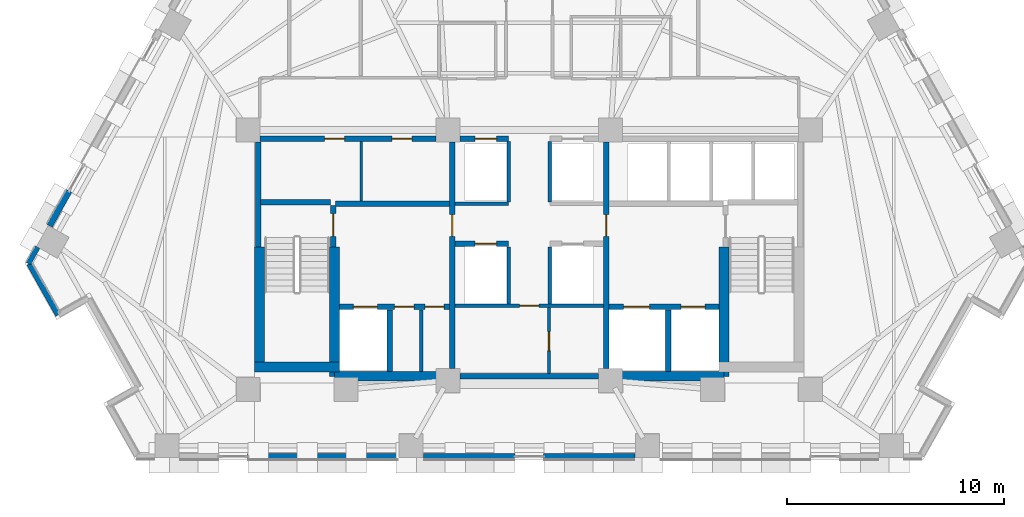
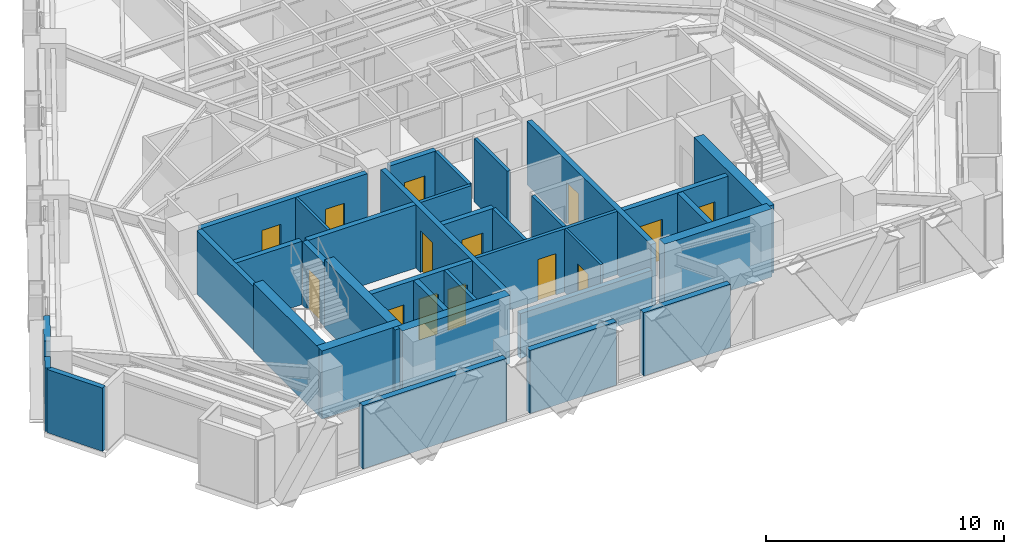
# One storey, part 7 of 13: 35 walls, 14 doors, 14 openings.
"""IFC4 building model written with IfcOpenShell, lengths in metres."""

from ifc_helpers import new_model, si_unit, direction, frame, frame_2d, origin, place, context, subcontext, project, spatial, rectangle, extrude, material, layer, layer_set, type_object, element, fill, save


model = new_model("IFC4")

# Units and contexts
model_context = context("Model", 3, precision=1e-05, world=origin(), true_north=direction((0.0, 1.0)))
body_context = subcontext(model_context, "Body", "Model", "MODEL_VIEW")
ifc_project = project(units=[si_unit("LENGTHUNIT", "METRE"), si_unit("AREAUNIT", "SQUARE_METRE"), si_unit("VOLUMEUNIT", "CUBIC_METRE"), si_unit("PLANEANGLEUNIT", "RADIAN"), si_unit("MASSUNIT", "GRAM", prefix="KILO")], contexts=[model_context])

# Site, building, storey
site_placement = place(None, origin())
site = spatial("IfcSite", under=ifc_project, at=site_placement, CompositionType="ELEMENT")
building_placement = place(site_placement, origin())
building = spatial("IfcBuilding", under=site, at=building_placement, Name="Quenlor Broadcast Tower", CompositionType="ELEMENT")
storey_placement = place(building_placement, frame((0.0, 0.0, 109.0)))
storey = spatial("IfcBuildingStorey", under=building, at=storey_placement, Name="L29", CompositionType="ELEMENT", Elevation=109.0)

# Walls
ifc_material_1 = material(Name="Concrete C50/60", Category="concrete")
ifc_layer_1 = layer(ifc_material_1, 0.449951171875)
ifc_layer_set_1 = layer_set([ifc_layer_1], Name="Core Concrete C50/60 Shear Wall 450")
wall_type_1 = type_object("IfcWallType", Name="Core Concrete C50/60 Shear Wall 450", PredefinedType="SHEAR", material=ifc_layer_set_1)
wall_1_placement = place(storey_placement, frame((-12.64990234375, -15.72509765625, 0.0), z_axis=(0.0, 0.0, 1.0), x_axis=(1.0, 0.0, 0.0)))
element("IfcWall", 1, at=wall_1_placement, inside=storey, type_object=wall_type_1, Name="L29 Core Shear Wall WS-W1", PredefinedType="SHEAR", context=body_context, shape_type="SweptSolid", body=[
    extrude(rectangle(XDim=3.89990234375, YDim=0.449951171875, at=frame_2d((1.949951171875, 0.0))), origin(), (0.0, 0.0, 1.0), 3.5),
])
for number, where, z_axis, x_axis, name in (
    (2, (-8.97509765625, -16.14990234375, 0.0), (0.0, 0.0, 1.0), (1.0, 0.0, 0.0), "L29 Core Shear Wall WS-W2"),
    (3, (3.75, -16.14990234375, 0.0), (0.0, 0.0, 1.0), (1.0, 0.0, 0.0), "L29 Core Shear Wall WS-E1"),
):
    element("IfcWall", number, at=place(storey_placement, frame(where, z_axis=z_axis, x_axis=x_axis)), inside=storey, type_object=wall_type_1, Name=name, PredefinedType="SHEAR", context=body_context, shape_type="SweptSolid", body=[
        extrude(rectangle(XDim=5.22509765625, YDim=0.449951171875, at=frame_2d((2.612548828125, 0.0))), origin(), (0.0, 0.0, 1.0), 3.5),
    ])
wall_2_placement = place(storey_placement, frame((-12.425048828125, -15.72509765625, 0.0), z_axis=(0.0, 0.0, 1.0), x_axis=(0.0, 1.0, 0.0)))
element("IfcWall", 4, at=wall_2_placement, inside=storey, type_object=wall_type_1, Name="L29 Core Shear Wall WF-W", PredefinedType="SHEAR", context=body_context, shape_type="SweptSolid", body=[
    extrude(rectangle(XDim=5.525146484375, YDim=0.449951171875, at=frame_2d((2.7626953125, 0.0))), origin(), (0.0, 0.0, 1.0), 3.5),
])
for number, where, z_axis, x_axis, name in (
    (5, (-8.97509765625, -16.14990234375, 0.0), (0.0, 0.0, 1.0), (0.0, 1.0, 0.0), "L29 Core Shear Wall WI-W"),
    (6, (8.97509765625, -16.14990234375, 0.0), (0.0, 0.0, 1.0), (0.0, 1.0, 0.0), "L29 Core Shear Wall WI-E"),
):
    element("IfcWall", number, at=place(storey_placement, frame(where, z_axis=z_axis, x_axis=x_axis)), inside=storey, type_object=wall_type_1, Name=name, PredefinedType="SHEAR", context=body_context, shape_type="SweptSolid", body=[
        extrude(rectangle(XDim=5.949951171875, YDim=0.449951171875, at=frame_2d((2.97509765625, 0.0))), origin(), (0.0, 0.0, 1.0), 3.5),
    ])

# Wall, opening, door
ifc_material_2 = material(Name="Concrete C40/50", Category="concrete")
ifc_layer_2 = layer(ifc_material_2, 0.25)
ifc_layer_set_2 = layer_set([ifc_layer_2], Name="Fire Rated Concrete C40/50 Core Wall 250")
wall_type_2 = type_object("IfcWallType", Name="Fire Rated Concrete C40/50 Core Wall 250", PredefinedType="PARTITIONING", material=ifc_layer_set_2)
wall_3_placement = place(storey_placement, frame((-9.0400390625, -10.179931640625, 0.0), z_axis=(0.0, 0.0, 1.0), x_axis=(0.0, 1.0, 0.0)))
wall_3 = element("IfcWall", 7, at=wall_3_placement, inside=storey, type_object=wall_type_2, Name="L29 Interior Wall CW-ST1-DR", PredefinedType="PARTITIONING", context=body_context, shape_type="SweptSolid", body=[
    extrude(rectangle(XDim=1.89990234375, YDim=0.25, at=frame_2d((0.949951171875, 0.0))), origin(), (0.0, 0.0, 1.0), 3.25),
])
opening_1_placement = place(wall_3_placement, frame((0.47998046875, 0.0, 0.0)))
opening_1 = element("IfcOpeningElement", 8, at=opening_1_placement, cuts=wall_3, Name="Opening FD-1", PredefinedType="OPENING", context=body_context, shape_type="SweptSolid", body=[
    extrude(rectangle(XDim=1.050048828125, YDim=2.14990234375, at=frame_2d((0.52490234375, 1.074951171875))), frame((0.0, 0.135009765625, 0.0), z_axis=(0.0, -1.0, 0.0), x_axis=(1.0, 0.0, 0.0)), (0.0, 0.0, 1.0), 0.27001953125),
])
ifc_material_3 = material(Name="Fire Rated Steel Door Leaf", Category="steel")
door_type_1 = type_object("IfcDoorType", Name="Fire Isolated Stair Door 1050x2150", OperationType="NOTDEFINED", PredefinedType="DOOR", material=ifc_material_3)
door_1_placement = place(opening_1_placement, origin())
door_1 = element("IfcDoor", 9, at=door_1_placement, inside=storey, type_object=door_type_1, Name="L29 Door DR-ST1", OperationType="SINGLE_SWING_LEFT", OverallHeight=2.14990234375, OverallWidth=1.050048828125, PredefinedType="DOOR", context=body_context, shape_type="SweptSolid", body=[
    extrude(rectangle(XDim=1.050048828125, YDim=2.14990234375, at=frame_2d((0.52490234375, 1.074951171875))), frame((0.0, 0.02490234375, 0.0), z_axis=(0.0, -1.0, 0.0), x_axis=(1.0, 0.0, 0.0)), (0.0, 0.0, 1.0), 0.050048828125),
])
fill(opening_1, door_1)

# Walls
wall_4_placement = place(storey_placement, frame((-12.3798828125, -8.1201171875, 0.0), z_axis=(0.0, 0.0, 1.0), x_axis=(1.0, 0.0, 0.0)))
element("IfcWall", 10, at=wall_4_placement, inside=storey, type_object=wall_type_2, Name="L29 Interior Wall CW-ST1-N", PredefinedType="PARTITIONING", context=body_context, shape_type="SweptSolid", body=[
    extrude(rectangle(XDim=3.219970703125, YDim=0.25, at=frame_2d((1.60986328125, 0.0))), origin(), (0.0, 0.0, 1.0), 3.25),
])
wall_5_placement = place(storey_placement, frame((-12.47998046875, -10.179931640625, 0.0), z_axis=(0.0, 0.0, 1.0), x_axis=(0.0, 1.0, 0.0)))
element("IfcWall", 11, at=wall_5_placement, inside=storey, type_object=wall_type_2, Name="L29 Interior Wall CW-ST1-W2", PredefinedType="PARTITIONING", context=body_context, shape_type="SweptSolid", body=[
    extrude(rectangle(XDim=4.827880859375, YDim=0.25, at=frame_2d((2.4140625, 0.0))), origin(), (0.0, 0.0, 1.0), 3.25),
])

# Wall, openings, doors
wall_6_placement = place(storey_placement, frame((-8.748046875, -12.949951171875, 0.0), z_axis=(0.0, 0.0, 1.0), x_axis=(1.0, 0.0, 0.0)))
wall_6 = element("IfcWall", 12, at=wall_6_placement, inside=storey, type_object=wall_type_2, Name="L29 Interior Wall CW-FFW-S", PredefinedType="PARTITIONING", context=body_context, shape_type="SweptSolid", body=[
    extrude(rectangle(XDim=5.068115234375, YDim=0.25, at=frame_2d((2.5341796875, 0.0))), origin(), (0.0, 0.0, 1.0), 3.25),
])
opening_2_placement = place(wall_6_placement, frame((0.64794921875, 0.0, 0.0)))
opening_2 = element("IfcOpeningElement", 13, at=opening_2_placement, cuts=wall_6, Name="Opening LD-FFL-1", PredefinedType="OPENING", context=body_context, shape_type="SweptSolid", body=[
    extrude(rectangle(XDim=1.10009765625, YDim=2.14990234375, at=frame_2d((0.550048828125, 1.074951171875))), frame((0.0, 0.135009765625, 0.0), z_axis=(0.0, -1.0, 0.0), x_axis=(1.0, 0.0, 0.0)), (0.0, 0.0, 1.0), 0.27001953125),
])
opening_3_placement = place(wall_6_placement, frame((2.548095703125, 0.0, 0.0)))
opening_3 = element("IfcOpeningElement", 14, at=opening_3_placement, cuts=wall_6, Name="Opening TD-1", PredefinedType="OPENING", context=body_context, shape_type="SweptSolid", body=[
    extrude(rectangle(XDim=0.8798828125, YDim=2.10009765625, at=frame_2d((0.43994140625, 1.050048828125))), frame((0.0, 0.135009765625, 0.0), z_axis=(0.0, -1.0, 0.0), x_axis=(1.0, 0.0, 0.0)), (0.0, 0.0, 1.0), 0.27001953125),
])
opening_4_placement = place(wall_6_placement, frame((3.947998046875, 0.0, 0.0)))
opening_4 = element("IfcOpeningElement", 15, at=opening_4_placement, cuts=wall_6, Name="Opening TD-1", PredefinedType="OPENING", context=body_context, shape_type="SweptSolid", body=[
    extrude(rectangle(XDim=0.8798828125, YDim=2.10009765625, at=frame_2d((0.43994140625, 1.050048828125))), frame((0.0, 0.135009765625, 0.0), z_axis=(0.0, -1.0, 0.0), x_axis=(1.0, 0.0, 0.0)), (0.0, 0.0, 1.0), 0.27001953125),
])
ifc_material_4 = material(Name="Brushed Stainless Steel", Category="steel")
door_type_2 = type_object("IfcDoorType", Name="Emergency Lift Sliding Landing Door 1100x2150", OperationType="NOTDEFINED", PredefinedType="DOOR", material=ifc_material_4)
door_2_placement = place(opening_2_placement, origin())
door_2 = element("IfcDoor", 16, at=door_2_placement, inside=storey, type_object=door_type_2, Name="L29 Door LD-FFL-1", OperationType="SLIDING_TO_LEFT", OverallHeight=2.14990234375, OverallWidth=1.10009765625, PredefinedType="DOOR", context=body_context, shape_type="SweptSolid", body=[
    extrude(rectangle(XDim=1.10009765625, YDim=2.14990234375, at=frame_2d((0.550048828125, 1.074951171875))), frame((0.0, 0.02490234375, 0.0), z_axis=(0.0, -1.0, 0.0), x_axis=(1.0, 0.0, 0.0)), (0.0, 0.0, 1.0), 0.050048828125),
])
fill(opening_2, door_2)
ifc_material_5 = material(Name="Fire Rated Steel Access Panel", Category="steel")
door_type_3 = type_object("IfcDoorType", Name="Riser Shaft Rated Access Trapdoor 880x2100", OperationType="NOTDEFINED", PredefinedType="TRAPDOOR", material=ifc_material_5)
door_3_placement = place(opening_3_placement, origin())
door_3 = element("IfcDoor", 17, at=door_3_placement, inside=storey, type_object=door_type_3, Name="L29 Door DR-ELR", OperationType="SINGLE_SWING_LEFT", OverallHeight=2.10009765625, OverallWidth=0.8798828125, PredefinedType="TRAPDOOR", context=body_context, shape_type="SweptSolid", body=[
    extrude(rectangle(XDim=0.8798828125, YDim=2.10009765625, at=frame_2d((0.43994140625, 1.050048828125))), frame((0.0, 0.02490234375, 0.0), z_axis=(0.0, -1.0, 0.0), x_axis=(1.0, 0.0, 0.0)), (0.0, 0.0, 1.0), 0.050048828125),
])
fill(opening_3, door_3)
door_4_placement = place(opening_4_placement, origin())
door_4 = element("IfcDoor", 18, at=door_4_placement, inside=storey, type_object=door_type_3, Name="L29 Door DR-CMR", OperationType="SINGLE_SWING_RIGHT", OverallHeight=2.10009765625, OverallWidth=0.8798828125, PredefinedType="TRAPDOOR", context=body_context, shape_type="SweptSolid", body=[
    extrude(rectangle(XDim=0.8798828125, YDim=2.10009765625, at=frame_2d((0.43994140625, 1.050048828125))), frame((0.0, 0.02490234375, 0.0), z_axis=(0.0, -1.0, 0.0), x_axis=(1.0, 0.0, 0.0)), (0.0, 0.0, 1.0), 0.050048828125),
])
fill(opening_4, door_4)

wall_7_placement = place(storey_placement, frame((3.679931640625, -12.949951171875, 0.0), z_axis=(0.0, 0.0, 1.0), x_axis=(1.0, 0.0, 0.0)))
wall_7 = element("IfcWall", 19, at=wall_7_placement, inside=storey, type_object=wall_type_2, Name="L29 Interior Wall CW-FFE-S", PredefinedType="PARTITIONING", context=body_context, shape_type="SweptSolid", body=[
    extrude(rectangle(XDim=5.068115234375, YDim=0.25, at=frame_2d((2.5341796875, 0.0))), origin(), (0.0, 0.0, 1.0), 3.25),
])
opening_5_placement = place(wall_7_placement, frame((3.320068359375, 0.0, 0.0)))
opening_5 = element("IfcOpeningElement", 20, at=opening_5_placement, cuts=wall_7, Name="Opening LD-FFL-2", PredefinedType="OPENING", context=body_context, shape_type="SweptSolid", body=[
    extrude(rectangle(XDim=1.10009765625, YDim=2.14990234375, at=frame_2d((0.550048828125, 1.074951171875))), frame((0.0, 0.135009765625, 0.0), z_axis=(0.0, -1.0, 0.0), x_axis=(1.0, 0.0, 0.0)), (0.0, 0.0, 1.0), 0.27001953125),
])
opening_6_placement = place(wall_7_placement, frame((0.669921875, 0.0, 0.0)))
opening_6 = element("IfcOpeningElement", 21, at=opening_6_placement, cuts=wall_7, Name="Opening LD-SVL-1", PredefinedType="OPENING", context=body_context, shape_type="SweptSolid", body=[
    extrude(rectangle(XDim=1.199951171875, YDim=2.14990234375, at=frame_2d((0.60009765625, 1.074951171875))), frame((0.0, 0.135009765625, 0.0), z_axis=(0.0, -1.0, 0.0), x_axis=(1.0, 0.0, 0.0)), (0.0, 0.0, 1.0), 0.27001953125),
])
door_5_placement = place(opening_5_placement, origin())
door_5 = element("IfcDoor", 22, at=door_5_placement, inside=storey, type_object=door_type_2, Name="L29 Door LD-FFL-2", OperationType="SLIDING_TO_RIGHT", OverallHeight=2.14990234375, OverallWidth=1.10009765625, PredefinedType="DOOR", context=body_context, shape_type="SweptSolid", body=[
    extrude(rectangle(XDim=1.10009765625, YDim=2.14990234375, at=frame_2d((0.550048828125, 1.074951171875))), frame((0.0, 0.02490234375, 0.0), z_axis=(0.0, -1.0, 0.0), x_axis=(1.0, 0.0, 0.0)), (0.0, 0.0, 1.0), 0.050048828125),
])
fill(opening_5, door_5)
ifc_material_6 = material(Name="Brushed Stainless Steel", Category="steel")
door_type_4 = type_object("IfcDoorType", Name="Goods Lift Sliding Landing Door 1200x2150", OperationType="NOTDEFINED", PredefinedType="DOOR", material=ifc_material_6)
door_6_placement = place(opening_6_placement, origin())
door_6 = element("IfcDoor", 23, at=door_6_placement, inside=storey, type_object=door_type_4, Name="L29 Door LD-SVL-1", OperationType="SLIDING_TO_LEFT", OverallHeight=2.14990234375, OverallWidth=1.199951171875, PredefinedType="DOOR", context=body_context, shape_type="SweptSolid", body=[
    extrude(rectangle(XDim=1.199951171875, YDim=2.14990234375, at=frame_2d((0.60009765625, 1.074951171875))), frame((0.0, 0.02490234375, 0.0), z_axis=(0.0, -1.0, 0.0), x_axis=(1.0, 0.0, 0.0)), (0.0, 0.0, 1.0), 0.050048828125),
])
fill(opening_6, door_6)

# Walls
for number, where, z_axis, x_axis, name in (
    (24, (-6.419921875, -15.919921875, 0.0), (0.0, 0.0, 1.0), (0.0, 1.0, 0.0), "L29 Interior Wall CW-FF1-E"),
    (25, (6.39990234375, -15.919921875, 0.0), (0.0, 0.0, 1.0), (0.0, 1.0, 0.0), "L29 Interior Wall CW-SV1-E"),
):
    element("IfcWall", number, at=place(storey_placement, frame(where, z_axis=z_axis, x_axis=x_axis)), inside=storey, type_object=wall_type_2, Name=name, PredefinedType="PARTITIONING", context=body_context, shape_type="SweptSolid", body=[
        extrude(rectangle(XDim=2.829833984375, YDim=0.25, at=frame_2d((1.4150390625, 0.0))), origin(), (0.0, 0.0, 1.0), 3.25),
    ])
wall_8_placement = place(storey_placement, frame((-8.919921875, -8.199951171875, 0.0), z_axis=(0.0, 0.0, 1.0), x_axis=(1.0, 0.0, 0.0)))
element("IfcWall", 26, at=wall_8_placement, inside=storey, type_object=wall_type_2, Name="L29 Interior Wall CW-FFW-N", PredefinedType="PARTITIONING", context=body_context, shape_type="SweptSolid", body=[
    extrude(rectangle(XDim=5.239990234375, YDim=0.25, at=frame_2d((2.6201171875, 0.0))), origin(), (0.0, 0.0, 1.0), 3.25),
])

# Wall, opening, door
wall_9_placement = place(storey_placement, frame((-3.550048828125, -15.798095703125, 0.0), z_axis=(0.0, 0.0, 1.0), x_axis=(0.0, 1.0, 0.0)))
wall_9 = element("IfcWall", 27, at=wall_9_placement, inside=storey, type_object=wall_type_2, Name="L29 Interior Wall CW-FFW-E", PredefinedType="PARTITIONING", context=body_context, shape_type="SweptSolid", body=[
    extrude(rectangle(XDim=10.446044921875, YDim=0.25, at=frame_2d((5.22314453125, 0.0))), origin(), (0.0, 0.0, 1.0), 3.25),
])
opening_7_placement = place(wall_9_placement, frame((6.097900390625, 0.0, 0.0)))
opening_7 = element("IfcOpeningElement", 28, at=opening_7_placement, cuts=wall_9, Name="Opening FD-2", PredefinedType="OPENING", context=body_context, shape_type="SweptSolid", body=[
    extrude(rectangle(XDim=1.0, YDim=2.14990234375, at=frame_2d((0.5, 1.074951171875))), frame((0.0, 0.135009765625, 0.0), z_axis=(0.0, -1.0, 0.0), x_axis=(1.0, 0.0, 0.0)), (0.0, 0.0, 1.0), 0.27001953125),
])
ifc_material_7 = material(Name="Fire Rated Glazed Steel Door", Category="steel")
door_type_5 = type_object("IfcDoorType", Name="Firefighting Lobby Smoke Door 1000x2150", OperationType="NOTDEFINED", PredefinedType="DOOR", material=ifc_material_7)
door_7_placement = place(opening_7_placement, origin())
door_7 = element("IfcDoor", 29, at=door_7_placement, inside=storey, type_object=door_type_5, Name="L29 Door DR-FFLW", OperationType="SINGLE_SWING_RIGHT", OverallHeight=2.14990234375, OverallWidth=1.0, PredefinedType="DOOR", context=body_context, shape_type="SweptSolid", body=[
    extrude(rectangle(XDim=1.0, YDim=2.14990234375, at=frame_2d((0.5, 1.074951171875))), frame((0.0, 0.02490234375, 0.0), z_axis=(0.0, -1.0, 0.0), x_axis=(1.0, 0.0, 0.0)), (0.0, 0.0, 1.0), 0.050048828125),
])
fill(opening_7, door_7)

wall_10_placement = place(storey_placement, frame((3.550048828125, -15.798095703125, 0.0), z_axis=(0.0, 0.0, 1.0), x_axis=(0.0, 1.0, 0.0)))
wall_10 = element("IfcWall", 30, at=wall_10_placement, inside=storey, type_object=wall_type_2, Name="L29 Interior Wall CW-FFE-W", PredefinedType="PARTITIONING", context=body_context, shape_type="SweptSolid", body=[
    extrude(rectangle(XDim=10.446044921875, YDim=0.25, at=frame_2d((5.22314453125, 0.0))), origin(), (0.0, 0.0, 1.0), 3.25),
])
opening_8_placement = place(wall_10_placement, frame((6.097900390625, 0.0, 0.0)))
opening_8 = element("IfcOpeningElement", 31, at=opening_8_placement, cuts=wall_10, Name="Opening FD-2", PredefinedType="OPENING", context=body_context, shape_type="SweptSolid", body=[
    extrude(rectangle(XDim=1.0, YDim=2.14990234375, at=frame_2d((0.5, 1.074951171875))), frame((0.0, 0.135009765625, 0.0), z_axis=(0.0, -1.0, 0.0), x_axis=(1.0, 0.0, 0.0)), (0.0, 0.0, 1.0), 0.27001953125),
])
door_8_placement = place(opening_8_placement, origin())
door_8 = element("IfcDoor", 32, at=door_8_placement, inside=storey, type_object=door_type_5, Name="L29 Door DR-FFLE", OperationType="SINGLE_SWING_LEFT", OverallHeight=2.14990234375, OverallWidth=1.0, PredefinedType="DOOR", context=body_context, shape_type="SweptSolid", body=[
    extrude(rectangle(XDim=1.0, YDim=2.14990234375, at=frame_2d((0.5, 1.074951171875))), frame((0.0, 0.02490234375, 0.0), z_axis=(0.0, -1.0, 0.0), x_axis=(1.0, 0.0, 0.0)), (0.0, 0.0, 1.0), 0.050048828125),
])
fill(opening_8, door_8)

# Wall, openings, doors
wall_11_placement = place(storey_placement, frame((-12.39794921875, -5.199951171875, 0.0), z_axis=(0.0, 0.0, 1.0), x_axis=(1.0, 0.0, 0.0)))
wall_11 = element("IfcWall", 33, at=wall_11_placement, inside=storey, type_object=wall_type_2, Name="L29 Interior Wall CW-N-W", PredefinedType="PARTITIONING", context=body_context, shape_type="SweptSolid", body=[
    extrude(rectangle(XDim=8.095947265625, YDim=0.25, at=frame_2d((4.0478515625, 0.0))), origin(), (0.0, 0.0, 1.0), 3.25),
])
opening_9_placement = place(wall_11_placement, frame((2.968017578125, 0.0, 0.0)))
opening_9 = element("IfcOpeningElement", 34, at=opening_9_placement, cuts=wall_11, Name="Opening ID-1", PredefinedType="OPENING", context=body_context, shape_type="SweptSolid", body=[
    extrude(rectangle(XDim=0.919921875, YDim=2.1201171875, at=frame_2d((0.4599609375, 1.06005859375))), frame((0.0, 0.135009765625, 0.0), z_axis=(0.0, -1.0, 0.0), x_axis=(1.0, 0.0, 0.0)), (0.0, 0.0, 1.0), 0.27001953125),
])
opening_10_placement = place(wall_11_placement, frame((6.068115234375, 0.0, 0.0)))
opening_10 = element("IfcOpeningElement", 35, at=opening_10_placement, cuts=wall_11, Name="Opening ID-1", PredefinedType="OPENING", context=body_context, shape_type="SweptSolid", body=[
    extrude(rectangle(XDim=0.919921875, YDim=2.1201171875, at=frame_2d((0.4599609375, 1.06005859375))), frame((0.0, 0.135009765625, 0.0), z_axis=(0.0, -1.0, 0.0), x_axis=(1.0, 0.0, 0.0)), (0.0, 0.0, 1.0), 0.27001953125),
])
ifc_material_8 = material(Name="Solid Core Timber Oak", Category="wood")
door_type_6 = type_object("IfcDoorType", Name="Single Leaf Timber Office Door 920x2120", OperationType="NOTDEFINED", PredefinedType="DOOR", material=ifc_material_8)
door_9_placement = place(opening_9_placement, origin())
door_9 = element("IfcDoor", 36, at=door_9_placement, inside=storey, type_object=door_type_6, Name="L29 Door DR-RCL1", OperationType="SINGLE_SWING_LEFT", OverallHeight=2.1201171875, OverallWidth=0.919921875, PredefinedType="DOOR", context=body_context, shape_type="SweptSolid", body=[
    extrude(rectangle(XDim=0.919921875, YDim=2.1201171875, at=frame_2d((0.4599609375, 1.06005859375))), frame((0.0, 0.02490234375, 0.0), z_axis=(0.0, -1.0, 0.0), x_axis=(1.0, 0.0, 0.0)), (0.0, 0.0, 1.0), 0.050048828125),
])
fill(opening_9, door_9)
door_10_placement = place(opening_10_placement, origin())
door_10 = element("IfcDoor", 37, at=door_10_placement, inside=storey, type_object=door_type_6, Name="L29 Door DR-RCL2", OperationType="SINGLE_SWING_RIGHT", OverallHeight=2.1201171875, OverallWidth=0.919921875, PredefinedType="DOOR", context=body_context, shape_type="SweptSolid", body=[
    extrude(rectangle(XDim=0.919921875, YDim=2.1201171875, at=frame_2d((0.4599609375, 1.06005859375))), frame((0.0, 0.02490234375, 0.0), z_axis=(0.0, -1.0, 0.0), x_axis=(1.0, 0.0, 0.0)), (0.0, 0.0, 1.0), 0.050048828125),
])
fill(opening_10, door_10)

# Wall, opening, door
wall_12_placement = place(storey_placement, frame((-3.197998046875, -5.199951171875, 0.0), z_axis=(0.0, 0.0, 1.0), x_axis=(1.0, 0.0, 0.0)))
wall_12 = element("IfcWall", 38, at=wall_12_placement, inside=storey, type_object=wall_type_2, Name="L29 Interior Wall CW-N-M1", PredefinedType="PARTITIONING", context=body_context, shape_type="SweptSolid", body=[
    extrude(rectangle(XDim=2.248046875, YDim=0.25, at=frame_2d((1.1240234375, 0.0))), origin(), (0.0, 0.0, 1.0), 3.25),
])
opening_11_placement = place(wall_12_placement, frame((0.697998046875, 0.0, 0.0)))
opening_11 = element("IfcOpeningElement", 39, at=opening_11_placement, cuts=wall_12, Name="Opening LD-PL-M1", PredefinedType="OPENING", context=body_context, shape_type="SweptSolid", body=[
    extrude(rectangle(XDim=1.0, YDim=2.14990234375, at=frame_2d((0.5, 1.074951171875))), frame((0.0, 0.135009765625, 0.0), z_axis=(0.0, -1.0, 0.0), x_axis=(1.0, 0.0, 0.0)), (0.0, 0.0, 1.0), 0.27001953125),
])
ifc_material_9 = material(Name="Brushed Stainless Steel", Category="steel")
door_type_7 = type_object("IfcDoorType", Name="Passenger Lift Sliding Landing Door 1000x2150", OperationType="NOTDEFINED", PredefinedType="DOOR", material=ifc_material_9)
door_11_placement = place(opening_11_placement, origin())
door_11 = element("IfcDoor", 40, at=door_11_placement, inside=storey, type_object=door_type_7, Name="L29 Door LD-PL-M1", OperationType="SLIDING_TO_LEFT", OverallHeight=2.14990234375, OverallWidth=1.0, PredefinedType="DOOR", context=body_context, shape_type="SweptSolid", body=[
    extrude(rectangle(XDim=1.0, YDim=2.14990234375, at=frame_2d((0.5, 1.074951171875))), frame((0.0, 0.02490234375, 0.0), z_axis=(0.0, -1.0, 0.0), x_axis=(1.0, 0.0, 0.0)), (0.0, 0.0, 1.0), 0.050048828125),
])
fill(opening_11, door_11)

# Wall
wall_13_placement = place(storey_placement, frame((-3.197998046875, -16.14990234375, 0.0), z_axis=(0.0, 0.0, 1.0), x_axis=(1.0, 0.0, 0.0)))
element("IfcWall", 41, at=wall_13_placement, inside=storey, type_object=wall_type_2, Name="L29 Interior Wall CW-MS-S", PredefinedType="PARTITIONING", context=body_context, shape_type="SweptSolid", body=[
    extrude(rectangle(XDim=6.39599609375, YDim=0.25, at=frame_2d((3.197998046875, 0.0))), origin(), (0.0, 0.0, 1.0), 2.300048828125),
])

# Wall, opening, door
wall_14_placement = place(storey_placement, frame((-3.419921875, -10.050048828125, 0.0), z_axis=(0.0, 0.0, 1.0), x_axis=(1.0, 0.0, 0.0)))
wall_14 = element("IfcWall", 42, at=wall_14_placement, inside=storey, type_object=wall_type_2, Name="L29 Interior Wall CW-MS-N1", PredefinedType="PARTITIONING", context=body_context, shape_type="SweptSolid", body=[
    extrude(rectangle(XDim=2.469970703125, YDim=0.25, at=frame_2d((1.23486328125, 0.0))), origin(), (0.0, 0.0, 1.0), 3.25),
])
opening_12_placement = place(wall_14_placement, frame((0.919921875, 0.0, 0.0)))
opening_12 = element("IfcOpeningElement", 43, at=opening_12_placement, cuts=wall_14, Name="Opening LD-PL-M3", PredefinedType="OPENING", context=body_context, shape_type="SweptSolid", body=[
    extrude(rectangle(XDim=1.0, YDim=2.14990234375, at=frame_2d((0.5, 1.074951171875))), frame((0.0, 0.135009765625, 0.0), z_axis=(0.0, -1.0, 0.0), x_axis=(1.0, 0.0, 0.0)), (0.0, 0.0, 1.0), 0.27001953125),
])
door_12_placement = place(opening_12_placement, origin())
door_12 = element("IfcDoor", 44, at=door_12_placement, inside=storey, type_object=door_type_7, Name="L29 Door LD-PL-M3", OperationType="SLIDING_TO_LEFT", OverallHeight=2.14990234375, OverallWidth=1.0, PredefinedType="DOOR", context=body_context, shape_type="SweptSolid", body=[
    extrude(rectangle(XDim=1.0, YDim=2.14990234375, at=frame_2d((0.5, 1.074951171875))), frame((0.0, 0.02490234375, 0.0), z_axis=(0.0, -1.0, 0.0), x_axis=(1.0, 0.0, 0.0)), (0.0, 0.0, 1.0), 0.050048828125),
])
fill(opening_12, door_12)

# Walls
ifc_material_10 = material(Name="Gypsum Fireboard Partition", Category="other")
ifc_layer_3 = layer(ifc_material_10, 0.159912109375)
ifc_layer_set_3 = layer_set([ifc_layer_3], Name="Fire Rated Shaft and Corridor Partition 160")
wall_type_3 = type_object("IfcWallType", Name="Fire Rated Shaft and Corridor Partition 160", PredefinedType="PARTITIONING", material=ifc_layer_set_3)
wall_15_placement = place(storey_placement, frame((-4.97998046875, -15.919921875, 0.0), z_axis=(0.0, 0.0, 1.0), x_axis=(0.0, 1.0, 0.0)))
element("IfcWall", 45, at=wall_15_placement, inside=storey, type_object=wall_type_3, Name="L29 Interior Wall CW-ELR-E", PredefinedType="PARTITIONING", context=body_context, shape_type="SweptSolid", body=[
    extrude(rectangle(XDim=2.829833984375, YDim=0.159912109375, at=frame_2d((1.4150390625, 0.0))), origin(), (0.0, 0.0, 1.0), 3.25),
])
for number, where, z_axis, x_axis, name in (
    (46, (-0.949951171875, -8.1201171875, 0.0), (0.0, 0.0, 1.0), (0.0, 1.0, 0.0), "L29 Interior Wall CW-CCRP-W"),
    (47, (0.949951171875, -8.1201171875, 0.0), (0.0, 0.0, 1.0), (0.0, 1.0, 0.0), "L29 Interior Wall CW-CCRP-E"),
):
    element("IfcWall", number, at=place(storey_placement, frame(where, z_axis=z_axis, x_axis=x_axis)), inside=storey, type_object=wall_type_3, Name=name, PredefinedType="PARTITIONING", context=body_context, shape_type="SweptSolid", body=[
        extrude(rectangle(XDim=2.780029296875, YDim=0.159912109375, at=frame_2d((1.39013671875, 0.0))), origin(), (0.0, 0.0, 1.0), 3.25),
    ])
wall_16_placement = place(storey_placement, frame((-3.419921875, -8.199951171875, 0.0), z_axis=(0.0, 0.0, 1.0), x_axis=(1.0, 0.0, 0.0)))
element("IfcWall", 48, at=wall_16_placement, inside=storey, type_object=wall_type_3, Name="L29 Interior Wall CW-M-BACK1", PredefinedType="PARTITIONING", context=body_context, shape_type="SweptSolid", body=[
    extrude(rectangle(XDim=2.469970703125, YDim=0.159912109375, at=frame_2d((1.23486328125, 0.0))), origin(), (0.0, 0.0, 1.0), 3.25),
])

# Wall, opening, door
wall_17_placement = place(storey_placement, frame((-3.419921875, -12.89990234375, 0.0), z_axis=(0.0, 0.0, 1.0), x_axis=(1.0, 0.0, 0.0)))
wall_17 = element("IfcWall", 49, at=wall_17_placement, inside=storey, type_object=wall_type_3, Name="L29 Interior Wall CW-MS-B", PredefinedType="PARTITIONING", context=body_context, shape_type="SweptSolid", body=[
    extrude(rectangle(XDim=6.83984375, YDim=0.159912109375, at=frame_2d((3.419921875, 0.0))), origin(), (0.0, 0.0, 1.0), 3.25),
])
opening_13_placement = place(wall_17_placement, frame((2.97998046875, 0.0, 0.0)))
opening_13 = element("IfcOpeningElement", 50, at=opening_13_placement, cuts=wall_17, Name="Opening ID-4", PredefinedType="OPENING", context=body_context, shape_type="SweptSolid", body=[
    extrude(rectangle(XDim=0.8798828125, YDim=2.1201171875, at=frame_2d((0.43994140625, 1.06005859375))), frame((0.0, 0.08984375, 0.0), z_axis=(0.0, -1.0, 0.0), x_axis=(1.0, 0.0, 0.0)), (0.0, 0.0, 1.0), 0.179931640625),
])
ifc_material_11 = material(Name="Solid Core Timber Oak", Category="wood")
door_type_8 = type_object("IfcDoorType", Name="Service Closet Timber Door 880x2120", OperationType="NOTDEFINED", PredefinedType="DOOR", material=ifc_material_11)
door_13_placement = place(opening_13_placement, origin())
door_13 = element("IfcDoor", 51, at=door_13_placement, inside=storey, type_object=door_type_8, Name="L29 Door DR-CSV0", OperationType="SINGLE_SWING_LEFT", OverallHeight=2.1201171875, OverallWidth=0.8798828125, PredefinedType="DOOR", context=body_context, shape_type="SweptSolid", body=[
    extrude(rectangle(XDim=0.8798828125, YDim=2.1201171875, at=frame_2d((0.43994140625, 1.06005859375))), frame((0.0, 0.02490234375, 0.0), z_axis=(0.0, -1.0, 0.0), x_axis=(1.0, 0.0, 0.0)), (0.0, 0.0, 1.0), 0.050048828125),
])
fill(opening_13, door_13)

# Walls
for number, where, z_axis, x_axis, name in (
    (52, (-0.949951171875, -12.818115234375, 0.0), (0.0, 0.0, 1.0), (0.0, 1.0, 0.0), "L29 Interior Wall CW-MS-W"),
    (53, (0.949951171875, -12.818115234375, 0.0), (0.0, 0.0, 1.0), (0.0, 1.0, 0.0), "L29 Interior Wall CW-MS-E"),
):
    element("IfcWall", number, at=place(storey_placement, frame(where, z_axis=z_axis, x_axis=x_axis)), inside=storey, type_object=wall_type_3, Name=name, PredefinedType="PARTITIONING", context=body_context, shape_type="SweptSolid", body=[
        extrude(rectangle(XDim=2.63818359375, YDim=0.159912109375, at=frame_2d((1.319091796875, 0.0))), origin(), (0.0, 0.0, 1.0), 3.25),
    ])
ifc_material_12 = material(Name="Gypsum Plasterboard Partition", Category="other")
ifc_layer_4 = layer(ifc_material_12, 0.1201171875)
ifc_layer_set_4 = layer_set([ifc_layer_4], Name="Standard Office Partition 120")
wall_type_4 = type_object("IfcWallType", Name="Standard Office Partition 120", PredefinedType="PARTITIONING", material=ifc_layer_set_4)
wall_18_placement = place(storey_placement, frame((-7.75, -8.072998046875, 0.0), z_axis=(0.0, 0.0, 1.0), x_axis=(0.0, 1.0, 0.0)))
element("IfcWall", 54, at=wall_18_placement, inside=storey, type_object=wall_type_4, Name="L29 Interior Wall CW-RCL-MID", PredefinedType="PARTITIONING", context=body_context, shape_type="SweptSolid", body=[
    extrude(rectangle(XDim=2.73291015625, YDim=0.1201171875, at=frame_2d((1.366455078125, 0.0))), origin(), (0.0, 0.0, 1.0), 3.25),
])

# Wall, opening, door
wall_19_placement = place(storey_placement, frame((0.909912109375, -16.02001953125, 0.0), z_axis=(0.0, 0.0, 1.0), x_axis=(0.0, 1.0, 0.0)))
wall_19 = element("IfcWall", 55, at=wall_19_placement, inside=storey, type_object=wall_type_4, Name="L29 Interior Wall CW-CSV-E2", PredefinedType="PARTITIONING", context=body_context, shape_type="SweptSolid", body=[
    extrude(rectangle(XDim=3.0380859375, YDim=0.1201171875, at=frame_2d((1.51904296875, 0.0))), origin(), (0.0, 0.0, 1.0), 3.25),
])
opening_14_placement = place(wall_19_placement, frame((1.050048828125, 0.0, 0.0)))
opening_14 = element("IfcOpeningElement", 56, at=opening_14_placement, cuts=wall_19, Name="Opening ID-4", PredefinedType="OPENING", context=body_context, shape_type="SweptSolid", body=[
    extrude(rectangle(XDim=0.8798828125, YDim=2.1201171875, at=frame_2d((0.43994140625, 1.06005859375))), frame((0.0, 0.070068359375, 0.0), z_axis=(0.0, -1.0, 0.0), x_axis=(1.0, 0.0, 0.0)), (0.0, 0.0, 1.0), 0.14013671875),
])
door_14_placement = place(opening_14_placement, origin())
door_14 = element("IfcDoor", 57, at=door_14_placement, inside=storey, type_object=door_type_8, Name="L29 Door DR-CSV2", OperationType="SINGLE_SWING_RIGHT", OverallHeight=2.1201171875, OverallWidth=0.8798828125, PredefinedType="DOOR", context=body_context, shape_type="SweptSolid", body=[
    extrude(rectangle(XDim=0.8798828125, YDim=2.1201171875, at=frame_2d((0.43994140625, 1.06005859375))), frame((0.0, 0.02490234375, 0.0), z_axis=(0.0, -1.0, 0.0), x_axis=(1.0, 0.0, 0.0)), (0.0, 0.0, 1.0), 0.050048828125),
])
fill(opening_14, door_14)

# Walls
ifc_material_13 = material(Name="Precast concrete C40/50", Category="concrete")
ifc_layer_5 = layer(ifc_material_13, 0.239990234375)
ifc_layer_set_5 = layer_set([ifc_layer_5], Name="Terrace Threshold Precast Concrete C40/50 Wall 240")
wall_type_5 = type_object("IfcWallType", Name="Terrace Threshold Precast Concrete C40/50 Wall 240", PredefinedType="STANDARD", material=ifc_layer_set_5)
wall_20_placement = place(storey_placement, frame((-23.078125, -10.9541015625, 0.0), z_axis=(0.0, 0.0, 1.0), x_axis=(0.490355003566, 0.871522788272, 0.0)))
element("IfcWall", 58, at=wall_20_placement, inside=storey, type_object=wall_type_5, Name="L29 Exterior Wall L29-SHD-NWS0", PredefinedType="STANDARD", context=body_context, shape_type="SweptSolid", body=[
    extrude(rectangle(XDim=0.865234375, YDim=0.239990234375, at=frame_2d((0.4326171875, 0.0))), origin(), (0.0, 0.0, 1.0), 3.25),
])
wall_21_placement = place(storey_placement, frame((-23.043701171875, -10.962890625, 0.0), z_axis=(0.0, 0.0, 1.0), x_axis=(0.490218533594, -0.871599557894, 0.0)))
element("IfcWall", 59, at=wall_21_placement, inside=storey, type_object=wall_type_5, Name="L29 Exterior Wall L29-CNR-12", PredefinedType="STANDARD", context=body_context, shape_type="SweptSolid", body=[
    extrude(rectangle(XDim=2.714111328125, YDim=0.239990234375, at=frame_2d((1.35693359375, 0.0))), origin(), (0.0, 0.0, 1.0), 3.25),
])
ifc_material_14 = material(Name="Precast concrete C40/50", Category="concrete")
ifc_layer_6 = layer(ifc_material_14, 0.280029296875)
ifc_layer_set_6 = layer_set([ifc_layer_6], Name="Terracotta Precast Concrete C40/50 Facade Wall 280")
wall_type_6 = type_object("IfcWallType", Name="Terracotta Precast Concrete C40/50 Facade Wall 280", PredefinedType="STANDARD", material=ifc_layer_set_6)
wall_22_placement = place(storey_placement, frame((-6.018310546875, -19.840087890625, 0.0), z_axis=(0.0, 0.0, 1.0), x_axis=(-1.0, 0.0, 0.0)))
element("IfcWall", 60, at=wall_22_placement, inside=storey, type_object=wall_type_6, Name="L29 Exterior Wall L29-SC-SP1", PredefinedType="STANDARD", context=body_context, shape_type="SweptSolid", body=[
    extrude(rectangle(XDim=6.96044921875, YDim=0.280029296875, at=frame_2d((3.480224609375, 0.0))), origin(), (0.0, 0.0, 1.0), 3.25),
])
for number, where, z_axis, x_axis, name in (
    (61, (4.873291015625, -19.840087890625, 0.0), (0.0, 0.0, 1.0), (-1.0, 0.0, 0.0), "L29 Exterior Wall L29-S-SP1"),
    (62, (-0.656494140625, -19.840087890625, 0.0), (0.0, 0.0, 1.0), (-1.0, 0.0, 0.0), "L29 Exterior Wall L29-S-SP2"),
):
    element("IfcWall", number, at=place(storey_placement, frame(where, z_axis=z_axis, x_axis=x_axis)), inside=storey, type_object=wall_type_6, Name=name, PredefinedType="STANDARD", context=body_context, shape_type="SweptSolid", body=[
        extrude(rectangle(XDim=4.216796875, YDim=0.280029296875, at=frame_2d((2.1083984375, 0.0))), origin(), (0.0, 0.0, 1.0), 3.25),
    ])
wall_23_placement = place(storey_placement, frame((-22.099853515625, -9.215087890625, 0.0), z_axis=(0.0, 0.0, 1.0), x_axis=(0.490280102884, 0.871564926277, 0.0)))
element("IfcWall", 63, at=wall_23_placement, inside=storey, type_object=wall_type_6, Name="L29 Exterior Wall L29-NWA-SP1", PredefinedType="STANDARD", context=body_context, shape_type="SweptSolid", body=[
    extrude(rectangle(XDim=1.843505859375, YDim=0.280029296875, at=frame_2d((0.921875, 0.0))), origin(), (0.0, 0.0, 1.0), 3.25),
])

save(model, "model.ifc")
